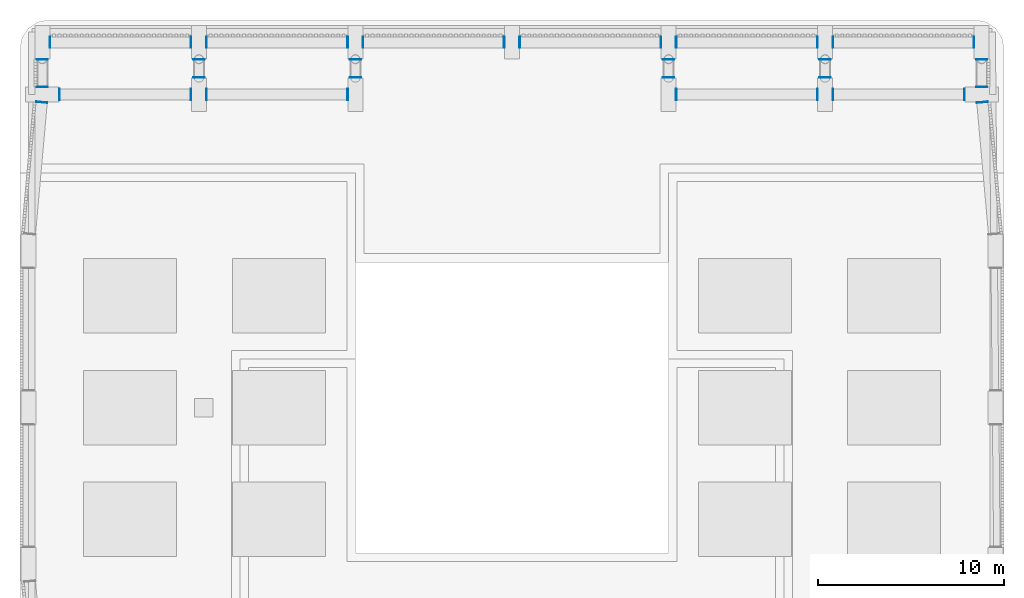
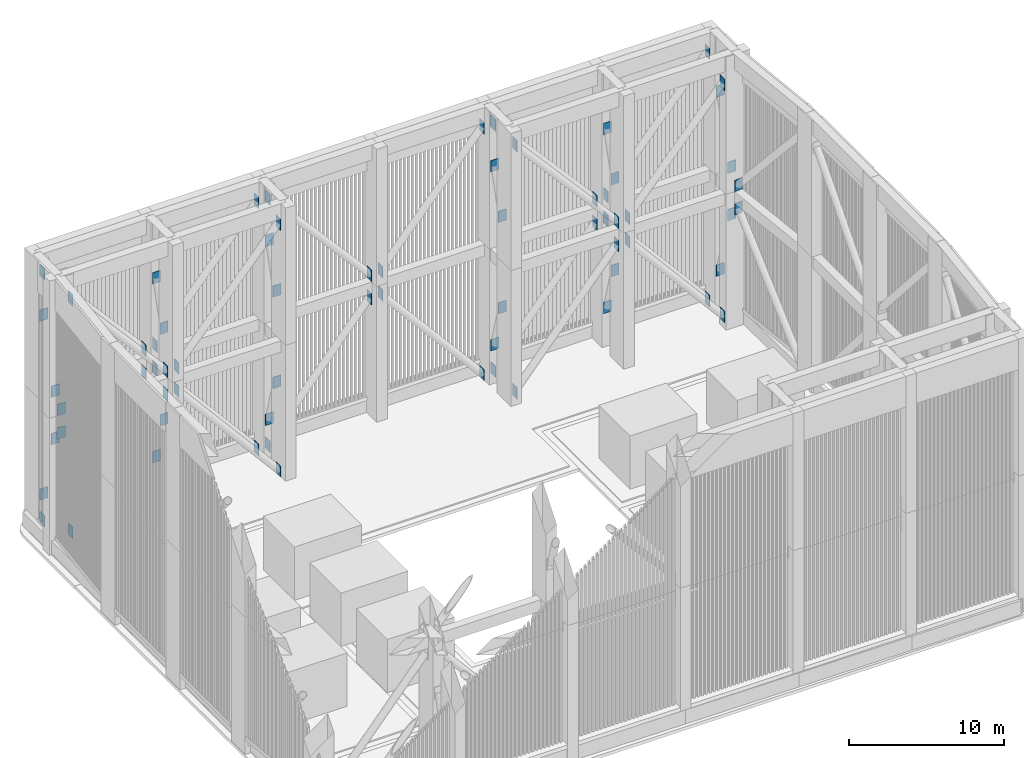
# One storey, part 7 of 27: 68 discrete accessories.
"""IFC4 building model written with IfcOpenShell, lengths in metres."""

from ifc_helpers import new_model, si_unit, direction, frame, origin, origin_2d, place, context, subcontext, project, spatial, rectangle, extrude, material, layer, layer_set, type_object, element, save


model = new_model("IFC4")

# Units and contexts
model_context = context("Model", 3, precision=1e-05, world=origin(), true_north=direction((0.0, 1.0)))
body_context = subcontext(model_context, "Body", "Model", "MODEL_VIEW")
ifc_project = project(units=[si_unit("LENGTHUNIT", "METRE"), si_unit("AREAUNIT", "SQUARE_METRE"), si_unit("VOLUMEUNIT", "CUBIC_METRE"), si_unit("PLANEANGLEUNIT", "RADIAN"), si_unit("MASSUNIT", "GRAM", prefix="KILO")], contexts=[model_context])

# Site, building, storey
site_placement = place(None, origin())
site = spatial("IfcSite", under=ifc_project, at=site_placement, CompositionType="ELEMENT")
building_placement = place(site_placement, origin())
building = spatial("IfcBuilding", under=site, at=building_placement, Name="Claustro Exchange Tower", CompositionType="ELEMENT")
storey_placement = place(building_placement, frame((0.0, 0.0, 287.10009765625)))
storey = spatial("IfcBuildingStorey", under=building, at=storey_placement, Name="ROOF", CompositionType="ELEMENT", Elevation=287.10009765625)

# Discrete accessories
ifc_material = material(Name="Steel S355", Category="steel")
ifc_layer = layer(ifc_material, 0.030029296875)
ifc_layer_set = layer_set([ifc_layer], Name="Steel S355")
discrete_accessory_type = type_object("IfcDiscreteAccessoryType", Name="CF7 30 x 600 x 900 crown frame brace end plate", PredefinedType="ANCHORPLATE", material=ifc_layer_set)
for number, where, z_axis, x_axis, name in (
    (1, (0.4150390625, 44.800048828125, 0.02734375), (0.0, 0.0, 1.0), (1.0, 0.0, 0.0), "CROWN FRAME brace end plate CF7 lower"),
    (2, (7.985107421875, 44.800048828125, 8.97265625), (0.0, 0.0, 1.0), (1.0, 0.0, 0.0), "CROWN FRAME brace end plate CF7 lower"),
    (3, (16.385009765625, 44.800048828125, 0.02734375), (0.0, 0.0, 1.0), (-1.0, 0.0, 0.0), "CROWN FRAME brace end plate CF7 lower"),
    (4, (8.81494140625, 44.800048828125, 8.97265625), (0.0, 0.0, 1.0), (-1.0, 0.0, 0.0), "CROWN FRAME brace end plate CF7 lower"),
    (5, (17.215087890625, 44.800048828125, 0.02734375), (0.0, 0.0, 1.0), (1.0, 0.0, 0.0), "CROWN FRAME brace end plate CF7 lower"),
    (6, (24.784912109375, 44.800048828125, 8.97265625), (0.0, 0.0, 1.0), (1.0, 0.0, 0.0), "CROWN FRAME brace end plate CF7 lower"),
    (7, (33.18505859375, 44.800048828125, 0.02734375), (0.0, 0.0, 1.0), (-1.0, 0.0, 0.0), "CROWN FRAME brace end plate CF7 lower"),
    (8, (25.614990234375, 44.800048828125, 8.97265625), (0.0, 0.0, 1.0), (-1.0, 0.0, 0.0), "CROWN FRAME brace end plate CF7 lower"),
    (9, (34.014892578125, 44.800048828125, 0.02734375), (0.0, 0.0, 1.0), (1.0, 0.0, 0.0), "CROWN FRAME brace end plate CF7 lower"),
    (10, (41.5849609375, 44.800048828125, 8.97265625), (0.0, 0.0, 1.0), (1.0, 0.0, 0.0), "CROWN FRAME brace end plate CF7 lower"),
    (11, (49.985107421875, 44.800048828125, 0.02734375), (0.0, 0.0, 1.0), (-1.0, 0.0, 0.0), "CROWN FRAME brace end plate CF7 lower"),
    (12, (42.4150390625, 44.800048828125, 8.97265625), (0.0, 0.0, 1.0), (-1.0, 0.0, 0.0), "CROWN FRAME brace end plate CF7 lower"),
    (13, (-0.037109375, 41.585205078125, 8.97265625), (0.0, 0.0, 1.0), (0.088932542032, 0.996037651381, 0.0), "CROWN FRAME brace end plate CF7 lower"),
    (14, (0.0, 43.885009765625, 2.749755859375), (0.0, 0.0, 1.0), (0.0, -1.0, 0.0), "CROWN FRAME brace end plate CF7 lower"),
    (15, (0.0, 42.4150390625, 8.01806640625), (0.0, 0.0, 1.0), (0.0, -1.0, 0.0), "CROWN FRAME brace end plate CF7 lower"),
    (16, (50.43701171875, 41.585205078125, 8.97265625), (0.0, 0.0, 1.0), (-0.088932542032, 0.996037651381, 0.0), "CROWN FRAME brace end plate CF7 lower"),
    (17, (50.39990234375, 43.885009765625, 2.749755859375), (0.0, 0.0, 1.0), (0.0, -1.0, 0.0), "CROWN FRAME brace end plate CF7 lower"),
    (18, (50.39990234375, 42.4150390625, 8.01806640625), (0.0, 0.0, 1.0), (0.0, -1.0, 0.0), "CROWN FRAME brace end plate CF7 lower"),
    (19, (0.9150390625, 42.0, 0.616455078125), (0.0, 0.0, 1.0), (1.0, 0.0, 0.0), "CROWN FRAME brace end plate CF7 lower"),
    (20, (7.985107421875, 42.0, 8.97265625), (0.0, 0.0, 1.0), (1.0, 0.0, 0.0), "CROWN FRAME brace end plate CF7 lower"),
    (21, (16.385009765625, 42.0, 0.02734375), (0.0, 0.0, 1.0), (-1.0, 0.0, 0.0), "CROWN FRAME brace end plate CF7 lower"),
    (22, (8.81494140625, 42.0, 8.97265625), (0.0, 0.0, 1.0), (-1.0, 0.0, 0.0), "CROWN FRAME brace end plate CF7 lower"),
    (23, (34.014892578125, 42.0, 0.02734375), (0.0, 0.0, 1.0), (1.0, 0.0, 0.0), "CROWN FRAME brace end plate CF7 lower"),
    (24, (41.5849609375, 42.0, 8.97265625), (0.0, 0.0, 1.0), (1.0, 0.0, 0.0), "CROWN FRAME brace end plate CF7 lower"),
    (25, (49.485107421875, 42.0, 0.616455078125), (0.0, 0.0, 1.0), (-1.0, 0.0, 0.0), "CROWN FRAME brace end plate CF7 lower"),
    (26, (42.4150390625, 42.0, 8.97265625), (0.0, 0.0, 1.0), (-1.0, 0.0, 0.0), "CROWN FRAME brace end plate CF7 lower"),
    (27, (8.39990234375, 43.885009765625, 2.749755859375), (0.0, 0.0, 1.0), (0.0, -1.0, 0.0), "CROWN FRAME brace end plate CF7 lower"),
    (28, (8.39990234375, 42.9150390625, 6.250244140625), (0.0, 0.0, 1.0), (0.0, -1.0, 0.0), "CROWN FRAME brace end plate CF7 lower"),
    (29, (16.800048828125, 43.885009765625, 2.749755859375), (0.0, 0.0, 1.0), (0.0, -1.0, 0.0), "CROWN FRAME brace end plate CF7 lower"),
    (30, (16.800048828125, 42.9150390625, 6.250244140625), (0.0, 0.0, 1.0), (0.0, -1.0, 0.0), "CROWN FRAME brace end plate CF7 lower"),
    (31, (33.60009765625, 43.885009765625, 2.749755859375), (0.0, 0.0, 1.0), (0.0, -1.0, 0.0), "CROWN FRAME brace end plate CF7 lower"),
    (32, (33.60009765625, 42.9150390625, 6.250244140625), (0.0, 0.0, 1.0), (0.0, -1.0, 0.0), "CROWN FRAME brace end plate CF7 lower"),
    (33, (42.0, 43.885009765625, 2.749755859375), (0.0, 0.0, 1.0), (0.0, -1.0, 0.0), "CROWN FRAME brace end plate CF7 lower"),
    (34, (42.0, 42.9150390625, 6.250244140625), (0.0, 0.0, 1.0), (0.0, -1.0, 0.0), "CROWN FRAME brace end plate CF7 lower"),
    (35, (7.985107421875, 44.800048828125, 10.812744140625), (0.0, 0.0, 1.0), (-1.0, 0.0, 0.0), "CROWN FRAME brace end plate CF7 upper"),
    (36, (0.4150390625, 44.800048828125, 19.487060546875), (0.0, 0.0, 1.0), (-1.0, 0.0, 0.0), "CROWN FRAME brace end plate CF7 upper"),
    (37, (8.81494140625, 44.800048828125, 10.812744140625), (0.0, 0.0, 1.0), (1.0, 0.0, 0.0), "CROWN FRAME brace end plate CF7 upper"),
    (38, (16.385009765625, 44.800048828125, 19.487060546875), (0.0, 0.0, 1.0), (1.0, 0.0, 0.0), "CROWN FRAME brace end plate CF7 upper"),
    (39, (24.784912109375, 44.800048828125, 10.812744140625), (0.0, 0.0, 1.0), (-1.0, 0.0, 0.0), "CROWN FRAME brace end plate CF7 upper"),
    (40, (17.215087890625, 44.800048828125, 19.487060546875), (0.0, 0.0, 1.0), (-1.0, 0.0, 0.0), "CROWN FRAME brace end plate CF7 upper"),
    (41, (25.614990234375, 44.800048828125, 10.812744140625), (0.0, 0.0, 1.0), (1.0, 0.0, 0.0), "CROWN FRAME brace end plate CF7 upper"),
    (42, (33.18505859375, 44.800048828125, 19.487060546875), (0.0, 0.0, 1.0), (1.0, 0.0, 0.0), "CROWN FRAME brace end plate CF7 upper"),
    (43, (41.5849609375, 44.800048828125, 10.812744140625), (0.0, 0.0, 1.0), (-1.0, 0.0, 0.0), "CROWN FRAME brace end plate CF7 upper"),
    (44, (34.014892578125, 44.800048828125, 19.487060546875), (0.0, 0.0, 1.0), (-1.0, 0.0, 0.0), "CROWN FRAME brace end plate CF7 upper"),
    (45, (42.4150390625, 44.800048828125, 10.812744140625), (0.0, 0.0, 1.0), (1.0, 0.0, 0.0), "CROWN FRAME brace end plate CF7 upper"),
    (46, (49.985107421875, 44.800048828125, 19.487060546875), (0.0, 0.0, 1.0), (1.0, 0.0, 0.0), "CROWN FRAME brace end plate CF7 upper"),
    (47, (-0.037109375, 41.585205078125, 10.812744140625), (0.0, 0.0, 1.0), (-0.088932542032, -0.996037651381, 0.0), "CROWN FRAME brace end plate CF7 upper"),
    (48, (0.0, 42.4150390625, 11.738525390625), (0.0, 0.0, 1.0), (0.0, 1.0, 0.0), "CROWN FRAME brace end plate CF7 upper"),
    (49, (0.0, 43.885009765625, 16.84716796875), (0.0, 0.0, 1.0), (0.0, 1.0, 0.0), "CROWN FRAME brace end plate CF7 upper"),
    (50, (50.43701171875, 41.585205078125, 10.812744140625), (0.0, 0.0, 1.0), (0.088932542032, -0.996037651381, 0.0), "CROWN FRAME brace end plate CF7 upper"),
    (51, (50.39990234375, 42.4150390625, 11.738525390625), (0.0, 0.0, 1.0), (0.0, 1.0, 0.0), "CROWN FRAME brace end plate CF7 upper"),
    (52, (50.39990234375, 43.885009765625, 16.84716796875), (0.0, 0.0, 1.0), (0.0, 1.0, 0.0), "CROWN FRAME brace end plate CF7 upper"),
    (53, (7.985107421875, 42.0, 10.812744140625), (0.0, 0.0, 1.0), (-1.0, 0.0, 0.0), "CROWN FRAME brace end plate CF7 upper"),
    (54, (0.9150390625, 42.0, 18.915771484375), (0.0, 0.0, 1.0), (-1.0, 0.0, 0.0), "CROWN FRAME brace end plate CF7 upper"),
    (55, (8.81494140625, 42.0, 10.812744140625), (0.0, 0.0, 1.0), (1.0, 0.0, 0.0), "CROWN FRAME brace end plate CF7 upper"),
    (56, (16.385009765625, 42.0, 19.487060546875), (0.0, 0.0, 1.0), (1.0, 0.0, 0.0), "CROWN FRAME brace end plate CF7 upper"),
    (57, (41.5849609375, 42.0, 10.812744140625), (0.0, 0.0, 1.0), (-1.0, 0.0, 0.0), "CROWN FRAME brace end plate CF7 upper"),
    (58, (34.014892578125, 42.0, 19.487060546875), (0.0, 0.0, 1.0), (-1.0, 0.0, 0.0), "CROWN FRAME brace end plate CF7 upper"),
    (59, (42.4150390625, 42.0, 10.812744140625), (0.0, 0.0, 1.0), (1.0, 0.0, 0.0), "CROWN FRAME brace end plate CF7 upper"),
    (60, (49.485107421875, 42.0, 18.915771484375), (0.0, 0.0, 1.0), (1.0, 0.0, 0.0), "CROWN FRAME brace end plate CF7 upper"),
    (61, (8.39990234375, 42.9150390625, 13.452880859375), (0.0, 0.0, 1.0), (0.0, 1.0, 0.0), "CROWN FRAME brace end plate CF7 upper"),
    (62, (8.39990234375, 43.885009765625, 16.84716796875), (0.0, 0.0, 1.0), (0.0, 1.0, 0.0), "CROWN FRAME brace end plate CF7 upper"),
    (63, (16.800048828125, 42.9150390625, 13.452880859375), (0.0, 0.0, 1.0), (0.0, 1.0, 0.0), "CROWN FRAME brace end plate CF7 upper"),
    (64, (16.800048828125, 43.885009765625, 16.84716796875), (0.0, 0.0, 1.0), (0.0, 1.0, 0.0), "CROWN FRAME brace end plate CF7 upper"),
    (65, (33.60009765625, 42.9150390625, 13.452880859375), (0.0, 0.0, 1.0), (0.0, 1.0, 0.0), "CROWN FRAME brace end plate CF7 upper"),
    (66, (33.60009765625, 43.885009765625, 16.84716796875), (0.0, 0.0, 1.0), (0.0, 1.0, 0.0), "CROWN FRAME brace end plate CF7 upper"),
    (67, (42.0, 42.9150390625, 13.452880859375), (0.0, 0.0, 1.0), (0.0, 1.0, 0.0), "CROWN FRAME brace end plate CF7 upper"),
    (68, (42.0, 43.885009765625, 16.84716796875), (0.0, 0.0, 1.0), (0.0, 1.0, 0.0), "CROWN FRAME brace end plate CF7 upper"),
):
    element("IfcDiscreteAccessory", number, at=place(storey_placement, frame(where, z_axis=z_axis, x_axis=x_axis)), inside=storey, type_object=discrete_accessory_type, Name=name, PredefinedType="ANCHORPLATE", context=body_context, shape_type="SweptSolid", body=[
        extrude(rectangle(XDim=0.030029296875, YDim=0.60009765625, at=origin_2d()), origin(), (0.0, 0.0, 1.0), 0.89990234375),
    ])

save(model, "model.ifc")
